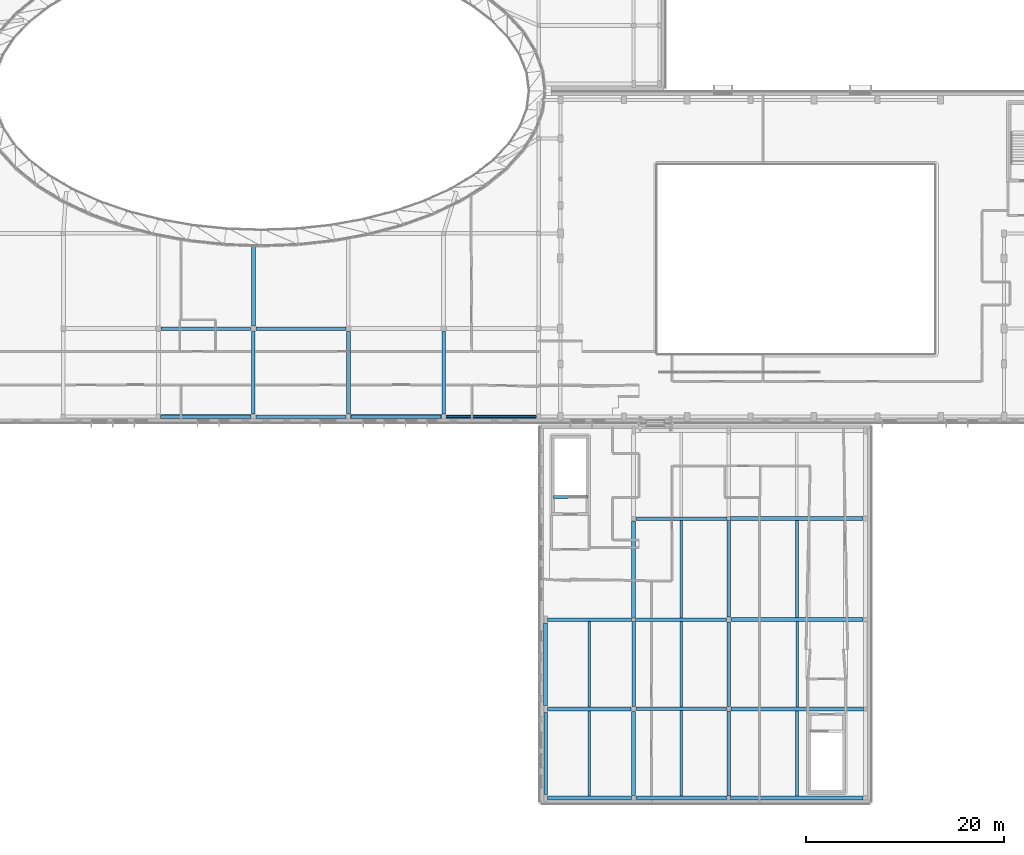
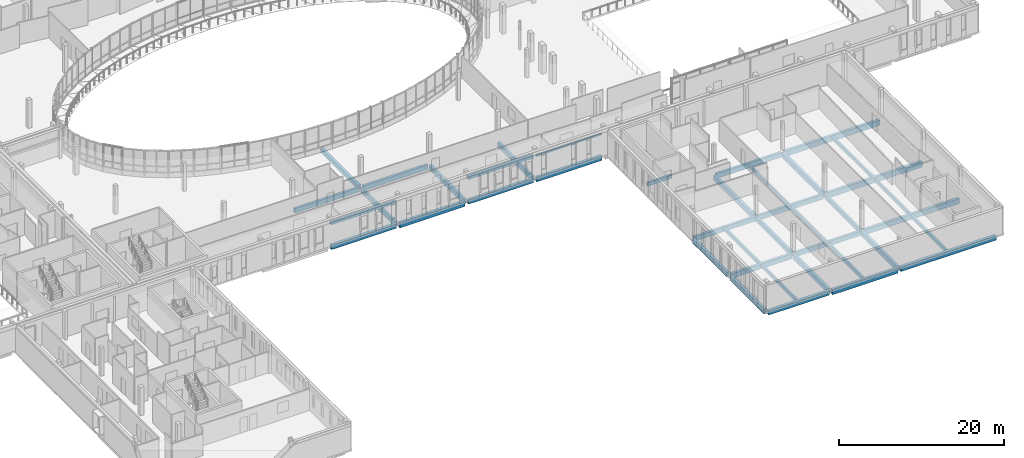
# One storey, part 13 of 84: 41 beams.
"""IFC4 building model written with IfcOpenShell, lengths in metres."""

from ifc_helpers import new_model, si_unit, direction, frame, origin, origin_2d, place, context, subcontext, project, spatial, rectangle, extrude, material, material_profile, profile_set, type_object, element, save


model = new_model("IFC4")

# Units and contexts
model_context = context("Model", 3, precision=1e-05, world=origin(), true_north=direction((0.0, 1.0)))
body_context = subcontext(model_context, "Body", "Model", "MODEL_VIEW")
ifc_project = project(units=[si_unit("LENGTHUNIT", "METRE"), si_unit("AREAUNIT", "SQUARE_METRE"), si_unit("VOLUMEUNIT", "CUBIC_METRE"), si_unit("PLANEANGLEUNIT", "RADIAN"), si_unit("MASSUNIT", "GRAM", prefix="KILO")], contexts=[model_context])

# Site, building, storey
site_placement = place(None, origin())
site = spatial("IfcSite", under=ifc_project, at=site_placement, CompositionType="ELEMENT")
building_placement = place(site_placement, origin())
building = spatial("IfcBuilding", under=site, at=building_placement, Name="Mzevani Central Library", CompositionType="ELEMENT")
storey_placement = place(building_placement, frame((0.0, 0.0, 5.39990234375)))
storey = spatial("IfcBuildingStorey", under=building, at=storey_placement, Name="L01", CompositionType="ELEMENT", Elevation=5.39990234375)

# Beams
ifc_material_1 = material(Name="Concrete C35/45", Category="concrete")
ifc_material_profile_1 = material_profile(ifc_material_1, rectangle(XDim=0.300048828125, YDim=0.5, at=origin_2d()), Name="RC B300x500")
ifc_profile_set_1 = profile_set([ifc_material_profile_1], Name="Concrete C35/45")
beam_type_1 = type_object("IfcBeamType", Name="Beam RC 300x500", PredefinedType="BEAM", material=ifc_profile_set_1)
beam_1_placement = place(storey_placement, frame((113.47998046875, 35.0, -0.25), z_axis=(1.0, 0.0, 0.0), x_axis=(0.0, 1.0, 0.0)))
element("IfcBeam", 1, at=beam_1_placement, inside=storey, type_object=beam_type_1, Name="L01 Core C6A Children's Pavilion North Stair Stair Opening Trimmer Beam", PredefinedType="BEAM", context=body_context, shape_type="SweptSolid", body=[
    extrude(rectangle(XDim=0.300048828125, YDim=0.5, at=origin_2d()), origin(), (0.0, 0.0, 1.0), 3.43994140625),
])
ifc_material_profile_2 = material_profile(ifc_material_1, rectangle(XDim=0.35009765625, YDim=0.64990234375, at=origin_2d()), Name="RC B350x650")
ifc_profile_set_2 = profile_set([ifc_material_profile_2], Name="Concrete C35/45")
beam_type_2 = type_object("IfcBeamType", Name="Beam RC 350x650", PredefinedType="BEAM", material=ifc_profile_set_2)
beam_2_placement = place(storey_placement, frame((93.050048828125, 43.10009765625, -0.5849609375), z_axis=(1.0, 0.0, 0.0), x_axis=(0.0, 1.0, 0.0)))
element("IfcBeam", 2, at=beam_2_placement, inside=storey, type_object=beam_type_2, Name="L01 V1 Girder B-05 (4)", PredefinedType="BEAM", context=body_context, shape_type="SweptSolid", body=[
    extrude(rectangle(XDim=0.35009765625, YDim=0.64990234375, at=origin_2d()), origin(), (0.0, 0.0, 1.0), 9.099853515625),
])
beam_3_placement = place(storey_placement, frame((73.875, 52.0, -0.5849609375), z_axis=(1.0, 0.0, 0.0), x_axis=(0.0, 1.0, 0.0)))
element("IfcBeam", 3, at=beam_3_placement, inside=storey, type_object=beam_type_2, Name="L01 V1 Girder B-05 (16)", PredefinedType="BEAM", context=body_context, shape_type="SweptSolid", body=[
    extrude(rectangle(XDim=0.35009765625, YDim=0.64990234375, at=origin_2d()), origin(), (0.0, 0.0, 1.0), 9.050048828125),
])
beam_4_placement = place(storey_placement, frame((121.85009765625, 13.60009765625, -0.5849609375), z_axis=(1.0, 0.0, 0.0), x_axis=(0.0, 1.0, 0.0)))
element("IfcBeam", 4, at=beam_4_placement, inside=storey, type_object=beam_type_2, Name="L01 V6 Girder B-05 (1040)", PredefinedType="BEAM", context=body_context, shape_type="SweptSolid", body=[
    extrude(rectangle(XDim=0.35009765625, YDim=0.64990234375, at=origin_2d()), origin(), (0.0, 0.0, 1.0), 9.125),
])
beam_5_placement = place(storey_placement, frame((112.875, 22.60009765625, -0.5849609375), z_axis=(1.0, 0.0, 0.0), x_axis=(0.0, 1.0, 0.0)))
element("IfcBeam", 5, at=beam_5_placement, inside=storey, type_object=beam_type_2, Name="L01 V6 Girder B-05 (1044)", PredefinedType="BEAM", context=body_context, shape_type="SweptSolid", body=[
    extrude(rectangle(XDim=0.35009765625, YDim=0.64990234375, at=origin_2d()), origin(), (0.0, 0.0, 1.0), 8.52490234375),
])
beam_6_placement = place(storey_placement, frame((121.60009765625, 13.85009765625, -0.5849609375), z_axis=(0.0, 1.0, 0.0), x_axis=(-1.0, 0.0, 0.0)))
element("IfcBeam", 6, at=beam_6_placement, inside=storey, type_object=beam_type_2, Name="L01 V6 Frame Beam B-05 (1056)", PredefinedType="BEAM", context=body_context, shape_type="SweptSolid", body=[
    extrude(rectangle(XDim=0.35009765625, YDim=0.64990234375, at=origin_2d()), origin(), (0.0, 0.0, 1.0), 8.5498046875),
])
beam_7_placement = place(storey_placement, frame((131.199951171875, 13.824951171875, -0.5849609375), z_axis=(0.0, 1.0, 0.0), x_axis=(-1.0, 0.0, 0.0)))
element("IfcBeam", 7, at=beam_7_placement, inside=storey, type_object=beam_type_2, Name="L01 V6 Frame Beam B-05 (1060)", PredefinedType="BEAM", context=body_context, shape_type="SweptSolid", body=[
    extrude(rectangle(XDim=0.35009765625, YDim=0.64990234375, at=origin_2d()), origin(), (0.0, 0.0, 1.0), 8.525146484375),
])
ifc_material_profile_3 = material_profile(ifc_material_1, rectangle(XDim=0.35009765625, YDim=0.699951171875, at=origin_2d()), Name="RC B350x700")
ifc_profile_set_3 = profile_set([ifc_material_profile_3], Name="Concrete C35/45")
beam_type_3 = type_object("IfcBeamType", Name="Beam RC 350x700", PredefinedType="BEAM", material=ifc_profile_set_3)
beam_8_placement = place(storey_placement, frame((102.64990234375, 43.10009765625, -0.60986328125), z_axis=(1.0, 0.0, 0.0), x_axis=(0.0, 1.0, 0.0)))
element("IfcBeam", 8, at=beam_8_placement, inside=storey, type_object=beam_type_3, Name="L01 V1 Girder B-06 (5)", PredefinedType="BEAM", context=body_context, shape_type="SweptSolid", body=[
    extrude(rectangle(XDim=0.35009765625, YDim=0.699951171875, at=origin_2d()), origin(), (0.0, 0.0, 1.0), 9.10009765625),
])
beam_9_placement = place(storey_placement, frame((83.47509765625, 52.0, -0.60986328125), z_axis=(1.0, 0.0, 0.0), x_axis=(0.0, 1.0, 0.0)))
element("IfcBeam", 9, at=beam_9_placement, inside=storey, type_object=beam_type_3, Name="L01 V1 Girder B-06 (17)", PredefinedType="BEAM", context=body_context, shape_type="SweptSolid", body=[
    extrude(rectangle(XDim=0.35009765625, YDim=0.699951171875, at=origin_2d()), origin(), (0.0, 0.0, 1.0), 9.0498046875),
])
for number, where, z_axis, x_axis, name in (
    (10, (83.199951171875, 43.35009765625, -0.60986328125), (0.0, 1.0, 0.0), (-1.0, 0.0, 0.0), "L01 V1 Frame Beam B-06 (49)"),
    (11, (102.39990234375, 43.35009765625, -0.60986328125), (0.0, 1.0, 0.0), (-1.0, 0.0, 0.0), "L01 V1 Frame Beam B-06 (53)"),
):
    element("IfcBeam", number, at=place(storey_placement, frame(where, z_axis=z_axis, x_axis=x_axis)), inside=storey, type_object=beam_type_3, Name=name, PredefinedType="BEAM", context=body_context, shape_type="SweptSolid", body=[
        extrude(rectangle(XDim=0.35009765625, YDim=0.699951171875, at=origin_2d()), origin(), (0.0, 0.0, 1.0), 8.375),
    ])
beam_10_placement = place(storey_placement, frame((121.800048828125, 22.60009765625, -0.60986328125), z_axis=(1.0, 0.0, 0.0), x_axis=(0.0, 1.0, 0.0)))
element("IfcBeam", 12, at=beam_10_placement, inside=storey, type_object=beam_type_3, Name="L01 V6 Girder B-06 (1045)", PredefinedType="BEAM", context=body_context, shape_type="SweptSolid", body=[
    extrude(rectangle(XDim=0.35009765625, YDim=0.699951171875, at=origin_2d()), origin(), (0.0, 0.0, 1.0), 9.14990234375),
])
beam_11_placement = place(storey_placement, frame((121.824951171875, 32.800048828125, -0.60986328125), z_axis=(1.0, 0.0, 0.0), x_axis=(0.0, 1.0, 0.0)))
element("IfcBeam", 13, at=beam_11_placement, inside=storey, type_object=beam_type_3, Name="L01 V6 Girder B-06 (1049)", PredefinedType="BEAM", context=body_context, shape_type="SweptSolid", body=[
    extrude(rectangle(XDim=0.35009765625, YDim=0.699951171875, at=origin_2d()), origin(), (0.0, 0.0, 1.0), 9.175048828125),
])
beam_12_placement = place(storey_placement, frame((112.699951171875, 4.949951171875, -0.60986328125), z_axis=(0.0, 1.0, 0.0), x_axis=(-1.0, 0.0, 0.0)))
element("IfcBeam", 14, at=beam_12_placement, inside=storey, type_object=beam_type_3, Name="L01 V6 Frame Beam B-06 (1053)", PredefinedType="BEAM", context=body_context, shape_type="SweptSolid", body=[
    extrude(rectangle(XDim=0.35009765625, YDim=0.699951171875, at=origin_2d()), origin(), (0.0, 0.0, 1.0), 8.300048828125),
])
ifc_material_profile_4 = material_profile(ifc_material_1, rectangle(XDim=0.39990234375, YDim=0.64990234375, at=origin_2d()), Name="RC B400x650")
ifc_profile_set_4 = profile_set([ifc_material_profile_4], Name="Concrete C35/45")
beam_type_4 = type_object("IfcBeamType", Name="Beam RC 400x650", PredefinedType="BEAM", material=ifc_profile_set_4)
beam_13_placement = place(storey_placement, frame((73.85009765625, 43.10009765625, -0.5849609375), z_axis=(1.0, 0.0, 0.0), x_axis=(0.0, 1.0, 0.0)))
element("IfcBeam", 15, at=beam_13_placement, inside=storey, type_object=beam_type_4, Name="L01 V1 Girder B-07 (2)", PredefinedType="BEAM", context=body_context, shape_type="SweptSolid", body=[
    extrude(rectangle(XDim=0.39990234375, YDim=0.64990234375, at=origin_2d()), origin(), (0.0, 0.0, 1.0), 9.099853515625),
])
beam_14_placement = place(storey_placement, frame((83.199951171875, 52.27490234375, -0.5849609375), z_axis=(0.0, 1.0, 0.0), x_axis=(-1.0, 0.0, 0.0)))
element("IfcBeam", 16, at=beam_14_placement, inside=storey, type_object=beam_type_4, Name="L01 V1 Frame Beam B-07 (50)", PredefinedType="BEAM", context=body_context, shape_type="SweptSolid", body=[
    extrude(rectangle(XDim=0.39990234375, YDim=0.64990234375, at=origin_2d()), origin(), (0.0, 0.0, 1.0), 9.150146484375),
])
beam_15_placement = place(storey_placement, frame((112.875, 4.60009765625, -0.5849609375), z_axis=(1.0, 0.0, 0.0), x_axis=(0.0, 1.0, 0.0)))
element("IfcBeam", 17, at=beam_15_placement, inside=storey, type_object=beam_type_4, Name="L01 V6 Girder B-07 (1034)", PredefinedType="BEAM", context=body_context, shape_type="SweptSolid", body=[
    extrude(rectangle(XDim=0.39990234375, YDim=0.64990234375, at=origin_2d()), origin(), (0.0, 0.0, 1.0), 8.5),
])
beam_16_placement = place(storey_placement, frame((112.699951171875, 13.949951171875, -0.5849609375), z_axis=(0.0, 1.0, 0.0), x_axis=(-1.0, 0.0, 0.0)))
element("IfcBeam", 18, at=beam_16_placement, inside=storey, type_object=beam_type_4, Name="L01 V6 Frame Beam B-07 (1054)", PredefinedType="BEAM", context=body_context, shape_type="SweptSolid", body=[
    extrude(rectangle(XDim=0.39990234375, YDim=0.64990234375, at=origin_2d()), origin(), (0.0, 0.0, 1.0), 8.300048828125),
])
ifc_material_profile_5 = material_profile(ifc_material_1, rectangle(XDim=0.39990234375, YDim=0.699951171875, at=origin_2d()), Name="RC B400x700")
ifc_profile_set_5 = profile_set([ifc_material_profile_5], Name="Concrete C35/45")
beam_type_5 = type_object("IfcBeamType", Name="Beam RC 400x700", PredefinedType="BEAM", material=ifc_profile_set_5)
beam_17_placement = place(storey_placement, frame((92.800048828125, 43.35009765625, -0.60986328125), z_axis=(0.0, 1.0, 0.0), x_axis=(-1.0, 0.0, 0.0)))
element("IfcBeam", 19, at=beam_17_placement, inside=storey, type_object=beam_type_5, Name="L01 V1 Frame Beam B-08 (51)", PredefinedType="BEAM", context=body_context, shape_type="SweptSolid", body=[
    extrude(rectangle(XDim=0.39990234375, YDim=0.699951171875, at=origin_2d()), origin(), (0.0, 0.0, 1.0), 8.375),
])
beam_18_placement = place(storey_placement, frame((131.39990234375, 4.60009765625, -0.60986328125), z_axis=(1.0, 0.0, 0.0), x_axis=(0.0, 1.0, 0.0)))
element("IfcBeam", 20, at=beam_18_placement, inside=storey, type_object=beam_type_5, Name="L01 V6 Girder B-08 (1036)", PredefinedType="BEAM", context=body_context, shape_type="SweptSolid", body=[
    extrude(rectangle(XDim=0.39990234375, YDim=0.699951171875, at=origin_2d()), origin(), (0.0, 0.0, 1.0), 13.35009765625),
])
beam_19_placement = place(storey_placement, frame((112.875, 13.60009765625, -0.60986328125), z_axis=(1.0, 0.0, 0.0), x_axis=(0.0, 1.0, 0.0)))
element("IfcBeam", 21, at=beam_19_placement, inside=storey, type_object=beam_type_5, Name="L01 V6 Girder B-08 (1039)", PredefinedType="BEAM", context=body_context, shape_type="SweptSolid", body=[
    extrude(rectangle(XDim=0.39990234375, YDim=0.699951171875, at=origin_2d()), origin(), (0.0, 0.0, 1.0), 8.47509765625),
])
beam_20_placement = place(storey_placement, frame((121.60009765625, 4.824951171875, -0.60986328125), z_axis=(0.0, 1.0, 0.0), x_axis=(-1.0, 0.0, 0.0)))
element("IfcBeam", 22, at=beam_20_placement, inside=storey, type_object=beam_type_5, Name="L01 V6 Frame Beam B-08 (1055)", PredefinedType="BEAM", context=body_context, shape_type="SweptSolid", body=[
    extrude(rectangle(XDim=0.39990234375, YDim=0.699951171875, at=origin_2d()), origin(), (0.0, 0.0, 1.0), 8.525146484375),
])
beam_21_placement = place(storey_placement, frame((131.199951171875, 4.800048828125, -0.60986328125), z_axis=(0.0, 1.0, 0.0), x_axis=(-1.0, 0.0, 0.0)))
element("IfcBeam", 23, at=beam_21_placement, inside=storey, type_object=beam_type_5, Name="L01 V6 Frame Beam B-08 (1059)", PredefinedType="BEAM", context=body_context, shape_type="SweptSolid", body=[
    extrude(rectangle(XDim=0.39990234375, YDim=0.699951171875, at=origin_2d()), origin(), (0.0, 0.0, 1.0), 8.574951171875),
])
ifc_material_profile_6 = material_profile(ifc_material_1, rectangle(XDim=0.39990234375, YDim=0.75, at=origin_2d()), Name="RC B400x750")
ifc_profile_set_6 = profile_set([ifc_material_profile_6], Name="Concrete C35/45")
beam_type_6 = type_object("IfcBeamType", Name="Beam RC 400x750", PredefinedType="BEAM", material=ifc_profile_set_6)
beam_22_placement = place(storey_placement, frame((131.425048828125, 13.60009765625, -0.635009765625), z_axis=(1.0, 0.0, 0.0), x_axis=(0.0, 1.0, 0.0)))
element("IfcBeam", 24, at=beam_22_placement, inside=storey, type_object=beam_type_6, Name="L01 V6 Girder B-09 (1041)", PredefinedType="BEAM", context=body_context, shape_type="SweptSolid", body=[
    extrude(rectangle(XDim=0.39990234375, YDim=0.75, at=origin_2d()), origin(), (0.0, 0.0, 1.0), 13.375),
])
beam_23_placement = place(storey_placement, frame((121.60009765625, 22.800048828125, -0.635009765625), z_axis=(0.0, 1.0, 0.0), x_axis=(-1.0, 0.0, 0.0)))
element("IfcBeam", 25, at=beam_23_placement, inside=storey, type_object=beam_type_6, Name="L01 V6 Frame Beam B-09 (1057)", PredefinedType="BEAM", context=body_context, shape_type="SweptSolid", body=[
    extrude(rectangle(XDim=0.39990234375, YDim=0.75, at=origin_2d()), origin(), (0.0, 0.0, 1.0), 9.77490234375),
])
beam_24_placement = place(storey_placement, frame((131.199951171875, 22.85009765625, -0.635009765625), z_axis=(0.0, 1.0, 0.0), x_axis=(-1.0, 0.0, 0.0)))
element("IfcBeam", 26, at=beam_24_placement, inside=storey, type_object=beam_type_6, Name="L01 V6 Frame Beam B-09 (1061)", PredefinedType="BEAM", context=body_context, shape_type="SweptSolid", body=[
    extrude(rectangle(XDim=0.39990234375, YDim=0.75, at=origin_2d()), origin(), (0.0, 0.0, 1.0), 9.75),
])
ifc_material_profile_7 = material_profile(ifc_material_1, rectangle(XDim=0.39990234375, YDim=0.800048828125, at=origin_2d()), Name="RC B400x800")
ifc_profile_set_7 = profile_set([ifc_material_profile_7], Name="Concrete C35/45")
beam_type_7 = type_object("IfcBeamType", Name="Beam RC 400x800", PredefinedType="BEAM", material=ifc_profile_set_7)
beam_25_placement = place(storey_placement, frame((131.449951171875, 22.60009765625, -0.659912109375), z_axis=(1.0, 0.0, 0.0), x_axis=(0.0, 1.0, 0.0)))
element("IfcBeam", 27, at=beam_25_placement, inside=storey, type_object=beam_type_7, Name="L01 V6 Girder B-10 (1046)", PredefinedType="BEAM", context=body_context, shape_type="SweptSolid", body=[
    extrude(rectangle(XDim=0.39990234375, YDim=0.800048828125, at=origin_2d()), origin(), (0.0, 0.0, 1.0), 13.324951171875),
])
beam_26_placement = place(storey_placement, frame((131.39990234375, 32.800048828125, -0.659912109375), z_axis=(1.0, 0.0, 0.0), x_axis=(0.0, 1.0, 0.0)))
element("IfcBeam", 28, at=beam_26_placement, inside=storey, type_object=beam_type_7, Name="L01 V6 Girder B-10 (1050)", PredefinedType="BEAM", context=body_context, shape_type="SweptSolid", body=[
    extrude(rectangle(XDim=0.39990234375, YDim=0.800048828125, at=origin_2d()), origin(), (0.0, 0.0, 1.0), 13.35009765625),
])
ifc_material_2 = material(Name="Precast concrete C40/50", Category="concrete")
ifc_material_profile_8 = material_profile(ifc_material_2, rectangle(XDim=0.35009765625, YDim=0.800048828125, at=origin_2d()), Name="RC SP350x800")
ifc_profile_set_8 = profile_set([ifc_material_profile_8], Name="Precast concrete C40/50")
beam_type_8 = type_object("IfcBeamType", Name="Colonnade Fascia Beam RC 350x800", PredefinedType="SPANDREL", material=ifc_profile_set_8)
beam_27_placement = place(storey_placement, frame((83.449951171875, 43.10009765625, -0.659912109375), z_axis=(1.0, 0.0, 0.0), x_axis=(0.0, 1.0, 0.0)))
element("IfcBeam", 29, at=beam_27_placement, inside=storey, type_object=beam_type_8, Name="L01 V1 Girder SP-02 (3)", PredefinedType="SPANDREL", context=body_context, shape_type="SweptSolid", body=[
    extrude(rectangle(XDim=0.35009765625, YDim=0.800048828125, at=origin_2d()), origin(), (0.0, 0.0, 1.0), 9.10009765625),
])
beam_28_placement = place(storey_placement, frame((121.824951171875, 4.60009765625, -0.659912109375), z_axis=(1.0, 0.0, 0.0), x_axis=(0.0, 1.0, 0.0)))
element("IfcBeam", 30, at=beam_28_placement, inside=storey, type_object=beam_type_8, Name="L01 V6 Girder SP-02 (1035)", PredefinedType="SPANDREL", context=body_context, shape_type="SweptSolid", body=[
    extrude(rectangle(XDim=0.35009765625, YDim=0.800048828125, at=origin_2d()), origin(), (0.0, 0.0, 1.0), 9.175048828125),
])
ifc_material_profile_9 = material_profile(ifc_material_1, rectangle(XDim=0.25, YDim=0.449951171875, at=origin_2d()), Name="RC J250x450")
ifc_profile_set_9 = profile_set([ifc_material_profile_9], Name="Concrete C35/45")
beam_type_9 = type_object("IfcBeamType", Name="Floor Joist RC 250x450", PredefinedType="JOIST", material=ifc_profile_set_9)
beam_29_placement = place(storey_placement, frame((117.112548828125, 4.800048828125, -0.48486328125), z_axis=(0.0, 1.0, 0.0), x_axis=(-1.0, 0.0, 0.0)))
element("IfcBeam", 31, at=beam_29_placement, inside=storey, type_object=beam_type_9, Name="L01 V6 Floor Joist BJ-01 (1071)", PredefinedType="JOIST", context=body_context, shape_type="SweptSolid", body=[
    extrude(rectangle(XDim=0.25, YDim=0.449951171875, at=origin_2d()), origin(), (0.0, 0.0, 1.0), 8.599853515625),
])
beam_30_placement = place(storey_placement, frame((126.39990234375, 13.77490234375, -0.48486328125), z_axis=(0.0, 1.0, 0.0), x_axis=(-1.0, 0.0, 0.0)))
element("IfcBeam", 32, at=beam_30_placement, inside=storey, type_object=beam_type_9, Name="L01 V6 Floor Joist BJ-01 (1077)", PredefinedType="JOIST", context=body_context, shape_type="SweptSolid", body=[
    extrude(rectangle(XDim=0.25, YDim=0.449951171875, at=origin_2d()), origin(), (0.0, 0.0, 1.0), 8.650146484375),
])
ifc_material_profile_10 = material_profile(ifc_material_1, rectangle(XDim=0.25, YDim=0.5, at=origin_2d()), Name="RC J250x500")
ifc_profile_set_10 = profile_set([ifc_material_profile_10], Name="Concrete C35/45")
beam_type_10 = type_object("IfcBeamType", Name="Floor Joist RC 250x500", PredefinedType="JOIST", material=ifc_profile_set_10)
beam_31_placement = place(storey_placement, frame((126.41259765625, 4.77490234375, -0.510009765625), z_axis=(0.0, 1.0, 0.0), x_axis=(-1.0, 0.0, 0.0)))
element("IfcBeam", 33, at=beam_31_placement, inside=storey, type_object=beam_type_10, Name="L01 V6 Floor Joist BJ-02 (1072)", PredefinedType="JOIST", context=body_context, shape_type="SweptSolid", body=[
    extrude(rectangle(XDim=0.25, YDim=0.5, at=origin_2d()), origin(), (0.0, 0.0, 1.0), 8.650146484375),
])
beam_32_placement = place(storey_placement, frame((138.112548828125, 13.800048828125, -0.510009765625), z_axis=(0.0, 1.0, 0.0), x_axis=(-1.0, 0.0, 0.0)))
element("IfcBeam", 34, at=beam_32_placement, inside=storey, type_object=beam_type_10, Name="L01 V6 Floor Joist BJ-02 (1078)", PredefinedType="JOIST", context=body_context, shape_type="SweptSolid", body=[
    extrude(rectangle(XDim=0.25, YDim=0.5, at=origin_2d()), origin(), (0.0, 0.0, 1.0), 8.599853515625),
])
beam_33_placement = place(storey_placement, frame((126.387451171875, 22.77490234375, -0.510009765625), z_axis=(0.0, 1.0, 0.0), x_axis=(-1.0, 0.0, 0.0)))
element("IfcBeam", 35, at=beam_33_placement, inside=storey, type_object=beam_type_10, Name="L01 V6 Floor Joist BJ-02 (1081)", PredefinedType="JOIST", context=body_context, shape_type="SweptSolid", body=[
    extrude(rectangle(XDim=0.25, YDim=0.5, at=origin_2d()), origin(), (0.0, 0.0, 1.0), 9.85009765625),
])
ifc_material_profile_11 = material_profile(ifc_material_1, rectangle(XDim=0.300048828125, YDim=0.449951171875, at=origin_2d()), Name="RC J300x450")
ifc_profile_set_11 = profile_set([ifc_material_profile_11], Name="Concrete C35/45")
beam_type_11 = type_object("IfcBeamType", Name="Floor Joist RC 300x450", PredefinedType="JOIST", material=ifc_profile_set_11)
beam_34_placement = place(storey_placement, frame((138.08740234375, 4.800048828125, -0.48486328125), z_axis=(0.0, 1.0, 0.0), x_axis=(-1.0, 0.0, 0.0)))
element("IfcBeam", 36, at=beam_34_placement, inside=storey, type_object=beam_type_11, Name="L01 V6 Floor Joist BJ-03 (1073)", PredefinedType="JOIST", context=body_context, shape_type="SweptSolid", body=[
    extrude(rectangle(XDim=0.300048828125, YDim=0.449951171875, at=origin_2d()), origin(), (0.0, 0.0, 1.0), 8.599853515625),
])
beam_35_placement = place(storey_placement, frame((117.112548828125, 13.800048828125, -0.48486328125), z_axis=(0.0, 1.0, 0.0), x_axis=(-1.0, 0.0, 0.0)))
element("IfcBeam", 37, at=beam_35_placement, inside=storey, type_object=beam_type_11, Name="L01 V6 Floor Joist BJ-03 (1076)", PredefinedType="JOIST", context=body_context, shape_type="SweptSolid", body=[
    extrude(rectangle(XDim=0.300048828125, YDim=0.449951171875, at=origin_2d()), origin(), (0.0, 0.0, 1.0), 8.625),
])
beam_36_placement = place(storey_placement, frame((138.10009765625, 22.800048828125, -0.48486328125), z_axis=(0.0, 1.0, 0.0), x_axis=(-1.0, 0.0, 0.0)))
element("IfcBeam", 38, at=beam_36_placement, inside=storey, type_object=beam_type_11, Name="L01 V6 Floor Joist BJ-03 (1082)", PredefinedType="JOIST", context=body_context, shape_type="SweptSolid", body=[
    extrude(rectangle(XDim=0.300048828125, YDim=0.449951171875, at=origin_2d()), origin(), (0.0, 0.0, 1.0), 9.800048828125),
])
ifc_material_profile_12 = material_profile(ifc_material_2, rectangle(XDim=0.39990234375, YDim=0.449951171875, at=origin_2d()), Name="PC LN400x450")
ifc_profile_set_12 = profile_set([ifc_material_profile_12], Name="Precast concrete C40/50")
beam_type_12 = type_object("IfcBeamType", Name="Precast Portal Lintel 400x450", PredefinedType="LINTEL", material=ifc_profile_set_12)
beam_37_placement = place(storey_placement, frame((93.02490234375, 43.10009765625, 2.97509765625), z_axis=(1.0, 0.0, 0.0), x_axis=(0.0, 1.0, 0.0)))
element("IfcBeam", 39, at=beam_37_placement, inside=storey, type_object=beam_type_12, Name="L01 V1 Precast Portal Lintel (12)", PredefinedType="LINTEL", context=body_context, shape_type="SweptSolid", body=[
    extrude(rectangle(XDim=0.39990234375, YDim=0.449951171875, at=origin_2d()), origin(), (0.0, 0.0, 1.0), 9.150146484375),
])
ifc_material_profile_13 = material_profile(ifc_material_2, rectangle(XDim=0.199951171875, YDim=0.25, at=origin_2d()), Name="PC LN200x250")
ifc_profile_set_13 = profile_set([ifc_material_profile_13], Name="Precast concrete C40/50")
beam_type_13 = type_object("IfcBeamType", Name="Precast Window Lintel 200x250", PredefinedType="LINTEL", material=ifc_profile_set_13)
beam_38_placement = place(storey_placement, frame((102.625, 43.10009765625, 2.875), z_axis=(1.0, 0.0, 0.0), x_axis=(0.0, 1.0, 0.0)))
element("IfcBeam", 40, at=beam_38_placement, inside=storey, type_object=beam_type_13, Name="L01 V1 Precast Portal Lintel (13)", PredefinedType="LINTEL", context=body_context, shape_type="SweptSolid", body=[
    extrude(rectangle(XDim=0.199951171875, YDim=0.25, at=origin_2d()), origin(), (0.0, 0.0, 1.0), 9.14990234375),
])
ifc_material_profile_14 = material_profile(ifc_material_2, rectangle(XDim=0.35009765625, YDim=0.39990234375, at=origin_2d()), Name="PC LN350x400")
ifc_profile_set_14 = profile_set([ifc_material_profile_14], Name="Precast concrete C40/50")
beam_type_14 = type_object("IfcBeamType", Name="Precast Window Lintel 350x400", PredefinedType="LINTEL", material=ifc_profile_set_14)
beam_39_placement = place(storey_placement, frame((73.824951171875, 43.10009765625, 2.9501953125), z_axis=(1.0, 0.0, 0.0), x_axis=(0.0, 1.0, 0.0)))
element("IfcBeam", 41, at=beam_39_placement, inside=storey, type_object=beam_type_14, Name="L01 V1 Precast Portal Lintel (11)", PredefinedType="LINTEL", context=body_context, shape_type="SweptSolid", body=[
    extrude(rectangle(XDim=0.35009765625, YDim=0.39990234375, at=origin_2d()), origin(), (0.0, 0.0, 1.0), 9.150146484375),
])

save(model, "model.ifc")
